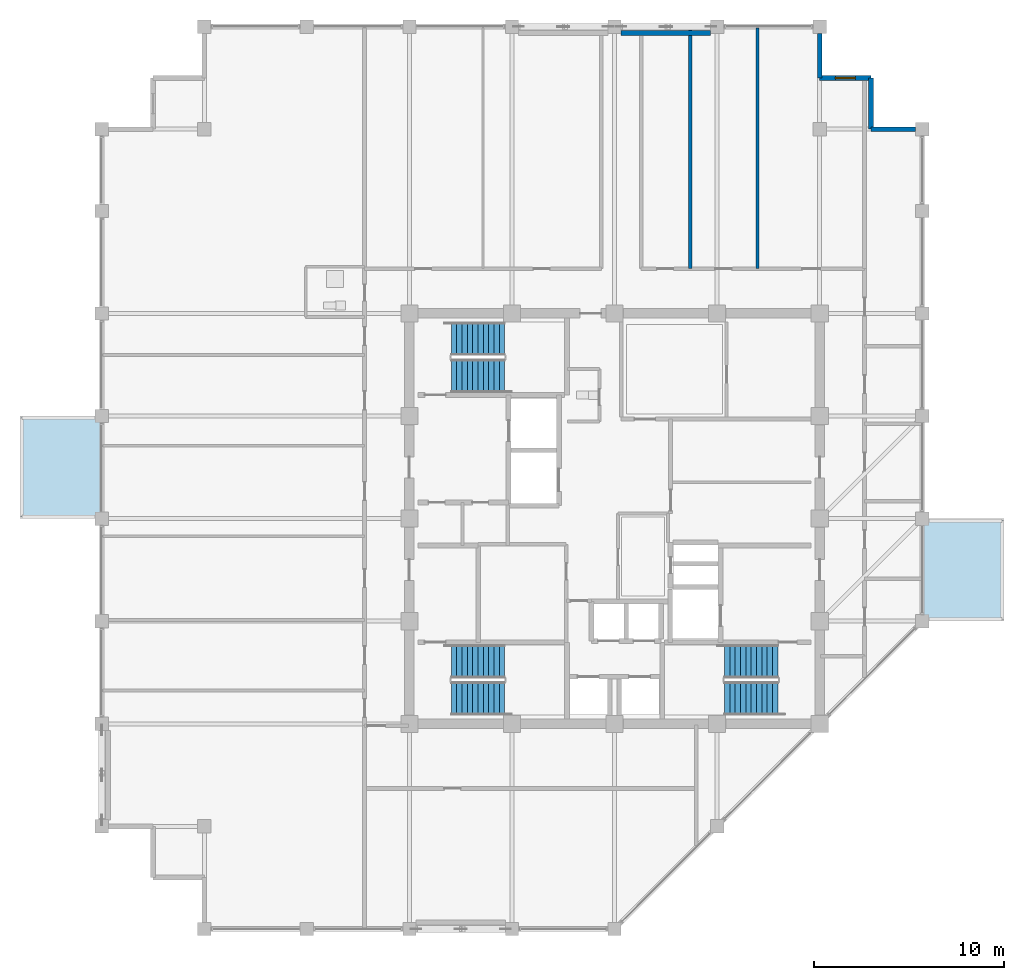
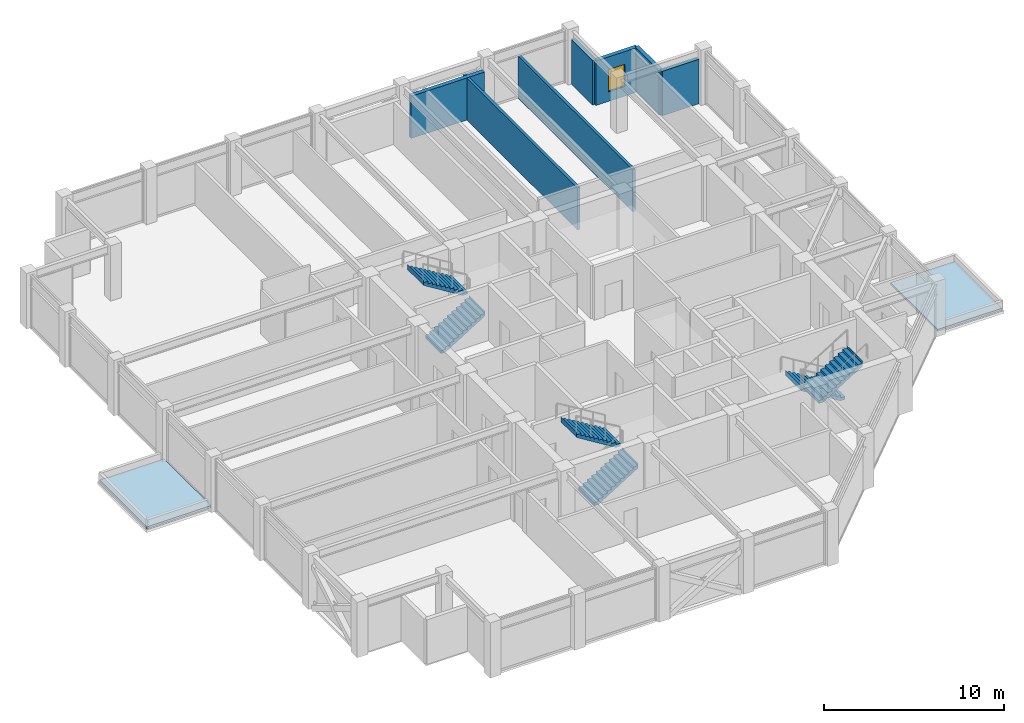
# One storey, part 27 of 29: 7 walls, 6 stair flights, 2 roofs, 1 window, 1 opening, 3 elements without a shape of their own.
"""IFC4 building model written with IfcOpenShell, lengths in metres."""

from ifc_helpers import new_model, si_unit, direction, frame, frame_2d, origin, place, context, subcontext, project, spatial, polyline, rectangle, outline, extrude, material, layer, layer_set, type_object, element, fill, aggregate, save


model = new_model("IFC4")

# Units and contexts
model_context = context("Model", 3, precision=1e-05, world=origin(), true_north=direction((0.0, 1.0)))
body_context = subcontext(model_context, "Body", "Model", "MODEL_VIEW")
ifc_project = project(units=[si_unit("LENGTHUNIT", "METRE"), si_unit("AREAUNIT", "SQUARE_METRE"), si_unit("VOLUMEUNIT", "CUBIC_METRE"), si_unit("PLANEANGLEUNIT", "RADIAN"), si_unit("MASSUNIT", "GRAM", prefix="KILO")], contexts=[model_context])

# Site, building, storey
site_placement = place(None, origin())
site = spatial("IfcSite", under=ifc_project, at=site_placement, CompositionType="ELEMENT")
building_placement = place(site_placement, origin())
building = spatial("IfcBuilding", under=site, at=building_placement, Name="Surkhivell Harbour Commons", CompositionType="ELEMENT")
storey_placement = place(building_placement, frame((0.0, 0.0, 326.25)))
storey = spatial("IfcBuildingStorey", under=building, at=storey_placement, Name="L85", CompositionType="ELEMENT", Elevation=326.25)

# Walls
ifc_material_1 = material(Name="Pale-metal insulated precast concrete C45/55", Category="concrete")
ifc_layer_1 = layer(ifc_material_1, 0.260009765625)
ifc_layer_set_1 = layer_set([ifc_layer_1], Name="Pale-metal insulated precast concrete C45/55")
wall_type_1 = type_object("IfcWallType", Name="WAL-EXT-MTL260", PredefinedType="STANDARD", material=ifc_layer_set_1)
wall_1_placement = place(storey_placement, frame((15.85205078125, 20.5, 0.0), z_axis=(0.0, 0.0, 1.0), x_axis=(-1.0, 0.0, 0.0)))
element("IfcWall", 1, at=wall_1_placement, inside=storey, type_object=wall_type_1, Name="L85 Serrated Corner Facade Wall 03", PredefinedType="STANDARD", context=body_context, shape_type="SweptSolid", body=[
    extrude(rectangle(XDim=2.35205078125, YDim=0.260009765625, at=frame_2d((1.176025390625, 0.0))), origin(), (0.0, 0.0, 1.0), 3.012939453125),
])
wall_2_placement = place(storey_placement, frame((13.5, 20.5, 0.0), z_axis=(0.0, 0.0, 1.0), x_axis=(0.0, 1.0, 0.0)))
element("IfcWall", 2, at=wall_2_placement, inside=storey, type_object=wall_type_1, Name="L85 Serrated Corner Facade Wall 04", PredefinedType="STANDARD", context=body_context, shape_type="SweptSolid", body=[
    extrude(rectangle(XDim=2.699951171875, YDim=0.260009765625, at=frame_2d((1.35009765625, 0.0))), origin(), (0.0, 0.0, 1.0), 3.012939453125),
])

# Wall, opening, window
wall_3_placement = place(storey_placement, frame((13.5, 23.199951171875, 0.0), z_axis=(0.0, 0.0, 1.0), x_axis=(-1.0, 0.0, 0.0)))
wall_3 = element("IfcWall", 3, at=wall_3_placement, inside=storey, type_object=wall_type_1, Name="L85 Serrated Corner Facade Wall 05", PredefinedType="STANDARD", context=body_context, shape_type="SweptSolid", body=[
    extrude(rectangle(XDim=2.699951171875, YDim=0.260009765625, at=frame_2d((1.35009765625, 0.0))), origin(), (0.0, 0.0, 1.0), 3.012939453125),
])
opening_placement = place(wall_3_placement, frame((0.824951171875, 0.0, 0.64990234375)))
opening = element("IfcOpeningElement", 4, at=opening_placement, cuts=wall_3, Name="Opening WN-11", PredefinedType="OPENING", context=body_context, shape_type="SweptSolid", body=[
    extrude(rectangle(XDim=1.050048828125, YDim=1.5, at=frame_2d((0.52490234375, 0.75))), frame((0.0, 0.139892578125, 0.0), z_axis=(0.0, -1.0, 0.0), x_axis=(1.0, 0.0, 0.0)), (0.0, 0.0, 1.0), 0.280029296875),
])
ifc_material_2 = material(Name="Thermal-break aluminium frame and double low-E glazing", Category="aluminium")
window_type = type_object("IfcWindowType", Name="WIN-SER-1050x1500", PartitioningType="SINGLE_PANEL", PredefinedType="WINDOW", material=ifc_material_2)
window_placement = place(opening_placement, origin())
window = element("IfcWindow", 5, at=window_placement, inside=storey, type_object=window_type, Name="L85 Serrated Alcove Window 05", OverallHeight=1.5, OverallWidth=1.050048828125, PartitioningType="SINGLE_PANEL", PredefinedType="WINDOW", context=body_context, shape_type="SweptSolid", body=[
    extrude(rectangle(XDim=1.050048828125, YDim=1.5, at=frame_2d((0.52490234375, 0.75))), frame((0.0, 0.030029296875, 0.0), z_axis=(0.0, -1.0, 0.0), x_axis=(1.0, 0.0, 0.0)), (0.0, 0.0, 1.0), 0.06005859375),
])
fill(opening, window)

# Walls
wall_4_placement = place(storey_placement, frame((10.800048828125, 23.199951171875, 0.0), z_axis=(0.0, 0.0, 1.0), x_axis=(0.0, 1.0, 0.0)))
element("IfcWall", 6, at=wall_4_placement, inside=storey, type_object=wall_type_1, Name="L85 Serrated Corner Facade Wall 06", PredefinedType="STANDARD", context=body_context, shape_type="SweptSolid", body=[
    extrude(rectangle(XDim=2.35205078125, YDim=0.260009765625, at=frame_2d((1.176025390625, 0.0))), origin(), (0.0, 0.0, 1.0), 3.012939453125),
])
wall_5_placement = place(storey_placement, frame((5.052001953125, 25.56494140625, 0.0), z_axis=(0.0, 0.0, 1.0), x_axis=(-1.0, 0.0, 0.0)))
element("IfcWall", 7, at=wall_5_placement, inside=storey, type_object=wall_type_1, Name="L85 Braced-Bay Insulated Spandrel Backing N2", PredefinedType="STANDARD", context=body_context, shape_type="SweptSolid", body=[
    extrude(rectangle(XDim=4.7041015625, YDim=0.260009765625, at=frame_2d((2.35205078125, 0.0))), origin(), (0.0, 0.0, 1.0), 2.85693359375),
])
ifc_material_3 = material(Name="High-density acoustic blockwork fire partition", Category="masonry")
ifc_layer_2 = layer(ifc_material_3, 0.175048828125)
ifc_layer_set_2 = layer_set([ifc_layer_2], Name="High-density acoustic blockwork fire partition")
wall_type_2 = type_object("IfcWallType", Name="WAL-INT-175", PredefinedType="PARTITIONING", material=ifc_layer_set_2)
for number, where, z_axis, x_axis, name in (
    (8, (3.989990234375, 13.159912109375, 0.0), (0.0, 0.0, 1.0), (0.0, 1.0, 0.0), "L85 North-East Partition P1"),
    (9, (7.52001953125, 13.159912109375, 0.0), (0.0, 0.0, 1.0), (0.0, 1.0, 0.0), "L85 North-East Partition P2"),
):
    element("IfcWall", number, at=place(storey_placement, frame(where, z_axis=z_axis, x_axis=x_axis)), inside=storey, type_object=wall_type_2, Name=name, PredefinedType="PARTITIONING", context=body_context, shape_type="SweptSolid", body=[
        extrude(rectangle(XDim=12.68017578125, YDim=0.175048828125, at=frame_2d((6.340087890625, 0.0))), origin(), (0.0, 0.0, 1.0), 2.85693359375),
    ])

# Stair, stair flights
ifc_material_4 = material(Name="Precast concrete C45/55", Category="concrete")
stair_type = type_object("IfcStairType", Name="STR-DL-375", PredefinedType="HALF_TURN_STAIR", material=ifc_material_4)
stair_1_placement = place(storey_placement, origin())
stair_1 = element("IfcStair", 10, at=stair_1_placement, inside=storey, type_object=stair_type, Name="L85 Core Exit Stair ST1", PredefinedType="HALF_TURN_STAIR")
stair_flight_type = type_object("IfcStairFlightType", Name="STF-DL-375", PredefinedType="STRAIGHT", material=ifc_material_4)
stair_flight_1_placement = place(storey_placement, frame((-8.590087890625, 7.514892578125, 0.0), z_axis=(0.0, 0.0, 1.0), x_axis=(1.0, 0.0, 0.0)))
stair_flight_1 = element("IfcStairFlight", 11, at=stair_flight_1_placement, type_object=stair_flight_type, Name="ST1 flight 1", NumberOfRisers=11, NumberOfTreads=10, PredefinedType="STRAIGHT", RiserHeight=0.170454545, TreadLength=0.28, context=body_context, shape_type="SweptSolid", body=[
    extrude(outline(polyline([(-0.0029296875, -0.034912109375), (-0.0029296875, 0.0), (0.0, 0.0), (0.0, 0.17041015625), (0.280029296875, 0.17041015625), (0.280029296875, 0.3408203125), (0.56005859375, 0.3408203125), (0.56005859375, 0.511474609375), (0.840087890625, 0.511474609375), (0.840087890625, 0.681884765625), (1.1201171875, 0.681884765625), (1.1201171875, 0.852294921875), (1.39990234375, 0.852294921875), (1.39990234375, 1.022705078125), (1.679931640625, 1.022705078125), (1.679931640625, 1.193115234375), (1.9599609375, 1.193115234375), (1.9599609375, 1.363525390625), (2.239990234375, 1.363525390625), (2.239990234375, 1.5341796875), (2.52001953125, 1.5341796875), (2.52001953125, 1.70458984375), (2.800048828125, 1.70458984375), (2.800048828125, 1.875), (2.802978515625, 1.875), (2.802978515625, 1.529052734375), (0.288330078125, -0.034912109375), (-0.0029296875, -0.034912109375)])), frame((0.0, 0.875, 0.0), z_axis=(0.0, -1.0, 0.0), x_axis=(1.0, 0.0, 0.0)), (0.0, 0.0, 1.0), 1.75),
])
stair_flight_2_placement = place(storey_placement, frame((-5.7900390625, 9.465087890625, 1.875), z_axis=(0.0, 0.0, 1.0), x_axis=(-1.0, 0.0, 0.0)))
stair_flight_2 = element("IfcStairFlight", 12, at=stair_flight_2_placement, type_object=stair_flight_type, Name="ST1 flight 2", NumberOfRisers=11, NumberOfTreads=10, PredefinedType="STRAIGHT", RiserHeight=0.170454545, TreadLength=0.28, context=body_context, shape_type="SweptSolid", body=[
    extrude(outline(polyline([(-0.0029296875, -0.034912109375), (-0.0029296875, 0.0), (0.0, 0.0), (0.0, 0.17041015625), (0.280029296875, 0.17041015625), (0.280029296875, 0.3408203125), (0.56005859375, 0.3408203125), (0.56005859375, 0.511474609375), (0.840087890625, 0.511474609375), (0.840087890625, 0.681884765625), (1.1201171875, 0.681884765625), (1.1201171875, 0.852294921875), (1.39990234375, 0.852294921875), (1.39990234375, 1.022705078125), (1.679931640625, 1.022705078125), (1.679931640625, 1.193115234375), (1.9599609375, 1.193115234375), (1.9599609375, 1.363525390625), (2.239990234375, 1.363525390625), (2.239990234375, 1.5341796875), (2.52001953125, 1.5341796875), (2.52001953125, 1.70458984375), (2.800048828125, 1.70458984375), (2.800048828125, 1.875), (2.802978515625, 1.875), (2.802978515625, 1.529052734375), (0.288330078125, -0.034912109375), (-0.0029296875, -0.034912109375)])), frame((0.0, 0.875, 0.0), z_axis=(0.0, -1.0, 0.0), x_axis=(1.0, 0.0, 0.0)), (0.0, 0.0, 1.0), 1.75),
])
aggregate(stair_1, [stair_flight_1, stair_flight_2])

stair_2_placement = place(storey_placement, origin())
stair_2 = element("IfcStair", 13, at=stair_2_placement, inside=storey, type_object=stair_type, Name="L85 Core Exit Stair ST2", PredefinedType="HALF_TURN_STAIR")
stair_flight_3_placement = place(storey_placement, frame((8.590087890625, -7.514892578125, 0.0), z_axis=(0.0, 0.0, 1.0), x_axis=(-1.0, 0.0, 0.0)))
stair_flight_3 = element("IfcStairFlight", 14, at=stair_flight_3_placement, type_object=stair_flight_type, Name="ST2 flight 1", NumberOfRisers=11, NumberOfTreads=10, PredefinedType="STRAIGHT", RiserHeight=0.170454545, TreadLength=0.28, context=body_context, shape_type="SweptSolid", body=[
    extrude(outline(polyline([(-0.0029296875, -0.034912109375), (-0.0029296875, 0.0), (0.0, 0.0), (0.0, 0.17041015625), (0.280029296875, 0.17041015625), (0.280029296875, 0.3408203125), (0.56005859375, 0.3408203125), (0.56005859375, 0.511474609375), (0.840087890625, 0.511474609375), (0.840087890625, 0.681884765625), (1.1201171875, 0.681884765625), (1.1201171875, 0.852294921875), (1.39990234375, 0.852294921875), (1.39990234375, 1.022705078125), (1.679931640625, 1.022705078125), (1.679931640625, 1.193115234375), (1.9599609375, 1.193115234375), (1.9599609375, 1.363525390625), (2.239990234375, 1.363525390625), (2.239990234375, 1.5341796875), (2.52001953125, 1.5341796875), (2.52001953125, 1.70458984375), (2.800048828125, 1.70458984375), (2.800048828125, 1.875), (2.802978515625, 1.875), (2.802978515625, 1.529052734375), (0.288330078125, -0.034912109375), (-0.0029296875, -0.034912109375)])), frame((0.0, 0.875, 0.0), z_axis=(0.0, -1.0, 0.0), x_axis=(1.0, 0.0, 0.0)), (0.0, 0.0, 1.0), 1.75),
])
stair_flight_4_placement = place(storey_placement, frame((5.7900390625, -9.465087890625, 1.875), z_axis=(0.0, 0.0, 1.0), x_axis=(1.0, 0.0, 0.0)))
stair_flight_4 = element("IfcStairFlight", 15, at=stair_flight_4_placement, type_object=stair_flight_type, Name="ST2 flight 2", NumberOfRisers=11, NumberOfTreads=10, PredefinedType="STRAIGHT", RiserHeight=0.170454545, TreadLength=0.28, context=body_context, shape_type="SweptSolid", body=[
    extrude(outline(polyline([(-0.0029296875, -0.034912109375), (-0.0029296875, 0.0), (0.0, 0.0), (0.0, 0.17041015625), (0.280029296875, 0.17041015625), (0.280029296875, 0.3408203125), (0.56005859375, 0.3408203125), (0.56005859375, 0.511474609375), (0.840087890625, 0.511474609375), (0.840087890625, 0.681884765625), (1.1201171875, 0.681884765625), (1.1201171875, 0.852294921875), (1.39990234375, 0.852294921875), (1.39990234375, 1.022705078125), (1.679931640625, 1.022705078125), (1.679931640625, 1.193115234375), (1.9599609375, 1.193115234375), (1.9599609375, 1.363525390625), (2.239990234375, 1.363525390625), (2.239990234375, 1.5341796875), (2.52001953125, 1.5341796875), (2.52001953125, 1.70458984375), (2.800048828125, 1.70458984375), (2.800048828125, 1.875), (2.802978515625, 1.875), (2.802978515625, 1.529052734375), (0.288330078125, -0.034912109375), (-0.0029296875, -0.034912109375)])), frame((0.0, 0.875, 0.0), z_axis=(0.0, -1.0, 0.0), x_axis=(1.0, 0.0, 0.0)), (0.0, 0.0, 1.0), 1.75),
])
aggregate(stair_2, [stair_flight_3, stair_flight_4])

stair_3_placement = place(storey_placement, origin())
stair_3 = element("IfcStair", 16, at=stair_3_placement, inside=storey, type_object=stair_type, Name="L85 Core Exit Stair ST3", PredefinedType="HALF_TURN_STAIR")
stair_flight_5_placement = place(storey_placement, frame((-8.590087890625, -9.465087890625, 0.0), z_axis=(0.0, 0.0, 1.0), x_axis=(1.0, 0.0, 0.0)))
stair_flight_5 = element("IfcStairFlight", 17, at=stair_flight_5_placement, type_object=stair_flight_type, Name="ST3 flight 1", NumberOfRisers=11, NumberOfTreads=10, PredefinedType="STRAIGHT", RiserHeight=0.170454545, TreadLength=0.28, context=body_context, shape_type="SweptSolid", body=[
    extrude(outline(polyline([(-0.0029296875, -0.034912109375), (-0.0029296875, 0.0), (0.0, 0.0), (0.0, 0.17041015625), (0.280029296875, 0.17041015625), (0.280029296875, 0.3408203125), (0.56005859375, 0.3408203125), (0.56005859375, 0.511474609375), (0.840087890625, 0.511474609375), (0.840087890625, 0.681884765625), (1.1201171875, 0.681884765625), (1.1201171875, 0.852294921875), (1.39990234375, 0.852294921875), (1.39990234375, 1.022705078125), (1.679931640625, 1.022705078125), (1.679931640625, 1.193115234375), (1.9599609375, 1.193115234375), (1.9599609375, 1.363525390625), (2.239990234375, 1.363525390625), (2.239990234375, 1.5341796875), (2.52001953125, 1.5341796875), (2.52001953125, 1.70458984375), (2.800048828125, 1.70458984375), (2.800048828125, 1.875), (2.802978515625, 1.875), (2.802978515625, 1.529052734375), (0.288330078125, -0.034912109375), (-0.0029296875, -0.034912109375)])), frame((0.0, 0.875, 0.0), z_axis=(0.0, -1.0, 0.0), x_axis=(1.0, 0.0, 0.0)), (0.0, 0.0, 1.0), 1.75),
])
stair_flight_6_placement = place(storey_placement, frame((-5.7900390625, -7.514892578125, 1.875), z_axis=(0.0, 0.0, 1.0), x_axis=(-1.0, 0.0, 0.0)))
stair_flight_6 = element("IfcStairFlight", 18, at=stair_flight_6_placement, type_object=stair_flight_type, Name="ST3 flight 2", NumberOfRisers=11, NumberOfTreads=10, PredefinedType="STRAIGHT", RiserHeight=0.170454545, TreadLength=0.28, context=body_context, shape_type="SweptSolid", body=[
    extrude(outline(polyline([(-0.0029296875, -0.034912109375), (-0.0029296875, 0.0), (0.0, 0.0), (0.0, 0.17041015625), (0.280029296875, 0.17041015625), (0.280029296875, 0.3408203125), (0.56005859375, 0.3408203125), (0.56005859375, 0.511474609375), (0.840087890625, 0.511474609375), (0.840087890625, 0.681884765625), (1.1201171875, 0.681884765625), (1.1201171875, 0.852294921875), (1.39990234375, 0.852294921875), (1.39990234375, 1.022705078125), (1.679931640625, 1.022705078125), (1.679931640625, 1.193115234375), (1.9599609375, 1.193115234375), (1.9599609375, 1.363525390625), (2.239990234375, 1.363525390625), (2.239990234375, 1.5341796875), (2.52001953125, 1.5341796875), (2.52001953125, 1.70458984375), (2.800048828125, 1.70458984375), (2.800048828125, 1.875), (2.802978515625, 1.875), (2.802978515625, 1.529052734375), (0.288330078125, -0.034912109375), (-0.0029296875, -0.034912109375)])), frame((0.0, 0.875, 0.0), z_axis=(0.0, -1.0, 0.0), x_axis=(1.0, 0.0, 0.0)), (0.0, 0.0, 1.0), 1.75),
])
aggregate(stair_3, [stair_flight_5, stair_flight_6])

# Roofs
ifc_material_5 = material(Name="Vermilion-coral and saffron enamelled aluminium box roof cap", Category="aluminium")
ifc_layer_3 = layer(ifc_material_5, 0.139892578125)
ifc_layer_set_3 = layer_set([ifc_layer_3], Name="Vermilion-coral and saffron enamelled aluminium box roof cap")
roof_type = type_object("IfcRoofType", Name="ROF-BOX-CAP", PredefinedType="FLAT_ROOF", material=ifc_layer_set_3)
roof_1_placement = place(storey_placement, origin())
element("IfcRoof", 19, at=roof_1_placement, inside=storey, type_object=roof_type, Name="L85 Closed Coloured Box Roof Cap 1-1", PredefinedType="FLAT_ROOF", context=body_context, shape_type="SweptSolid", body=[
    extrude(outline(polyline([(16.300048828125, -0.080078125), (16.300048828125, -5.320068359375), (20.419921875, -5.320068359375), (20.419921875, -0.080078125), (16.300048828125, -0.080078125)])), origin(), (0.0, 0.0, 1.0), 0.139892578125),
])
roof_2_placement = place(storey_placement, origin())
element("IfcRoof", 20, at=roof_2_placement, inside=storey, type_object=roof_type, Name="L85 Closed Coloured Box Roof Cap 2-1", PredefinedType="FLAT_ROOF", context=body_context, shape_type="SweptSolid", body=[
    extrude(outline(polyline([(-27.10009765625, 0.080078125), (-27.10009765625, 5.320068359375), (-31.219970703125, 5.320068359375), (-31.219970703125, 0.080078125), (-27.10009765625, 0.080078125)])), origin(), (0.0, 0.0, 1.0), 0.139892578125),
])

save(model, "model.ifc")
